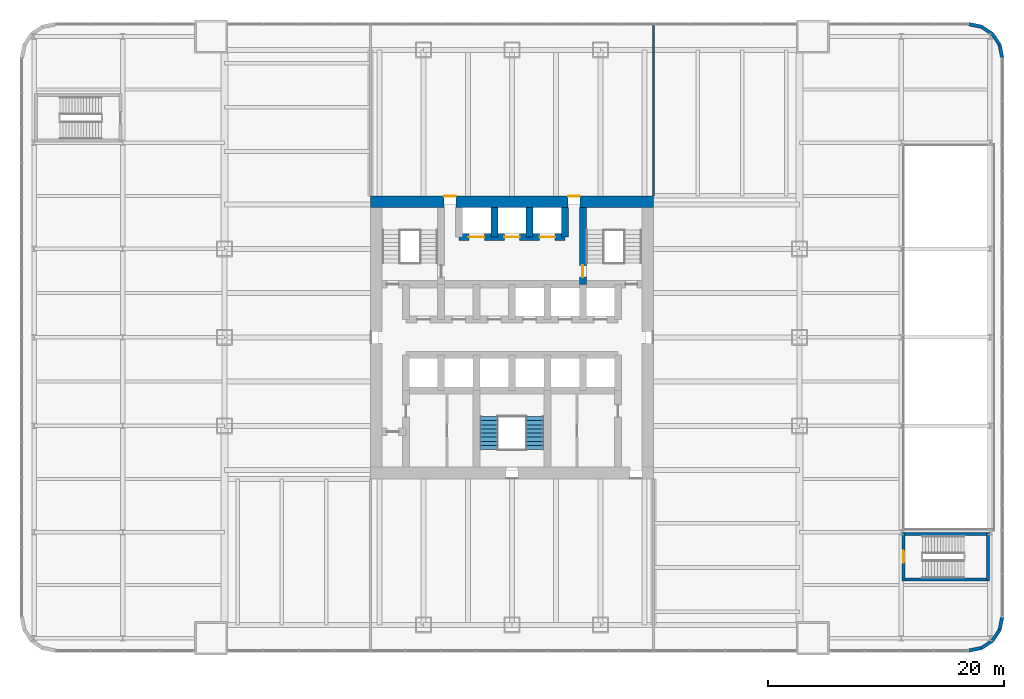
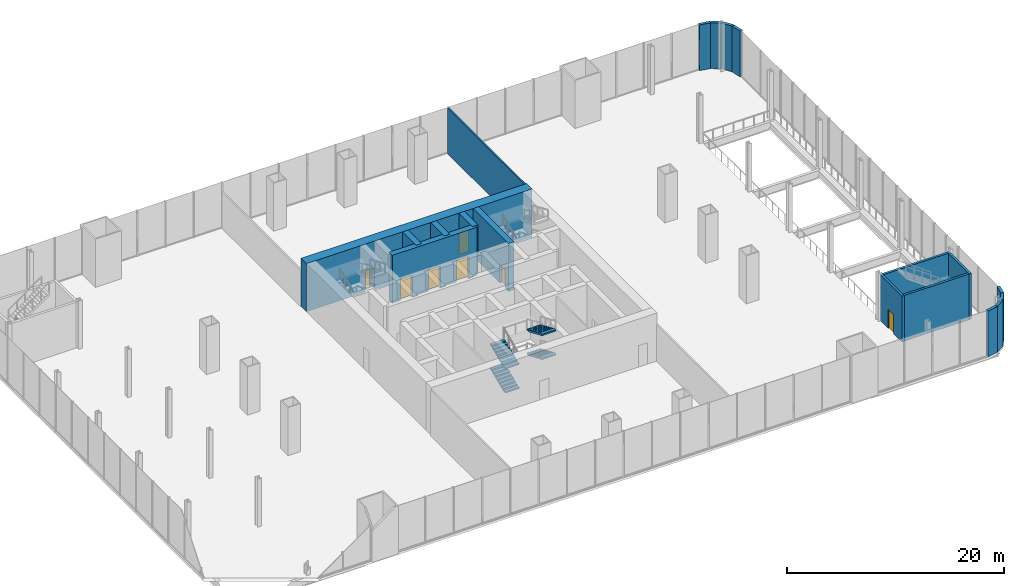
# One storey, part 13 of 16: 19 walls, 7 doors, 4 stair flights, 7 openings, 1 element without a shape of its own.
"""IFC4 building model written with IfcOpenShell, lengths in metres."""

from ifc_helpers import new_model, si_unit, direction, frame, frame_2d, origin, place, context, subcontext, project, spatial, polyline, rectangle, outline, extrude, material, layer, layer_set, type_object, element, fill, aggregate, save


model = new_model("IFC4")

# Units and contexts
model_context = context("Model", 3, precision=1e-05, world=origin(), true_north=direction((0.0, 1.0)))
body_context = subcontext(model_context, "Body", "Model", "MODEL_VIEW")
ifc_project = project(units=[si_unit("LENGTHUNIT", "METRE"), si_unit("AREAUNIT", "SQUARE_METRE"), si_unit("VOLUMEUNIT", "CUBIC_METRE"), si_unit("PLANEANGLEUNIT", "RADIAN"), si_unit("MASSUNIT", "GRAM", prefix="KILO")], contexts=[model_context])

# Site, building, storey
site_placement = place(None, origin())
site = spatial("IfcSite", under=ifc_project, at=site_placement, CompositionType="ELEMENT")
building_placement = place(site_placement, origin())
building = spatial("IfcBuilding", under=site, at=building_placement, Name="Tarangal Relay Tower", CompositionType="ELEMENT")
storey_placement = place(building_placement, frame((0.0, 0.0, 12.60009765625)))
storey = spatial("IfcBuildingStorey", under=building, at=storey_placement, Name="L02", CompositionType="ELEMENT", Elevation=12.60009765625)

# Wall, openings, doors
ifc_material_1 = material(Name="Concrete fc' 60 MPa", Category="concrete")
ifc_layer_1 = layer(ifc_material_1, 0.60009765625)
ifc_layer_set_1 = layer_set([ifc_layer_1], Name="Core inner wall 600")
wall_type_1 = type_object("IfcWallType", Name="Core inner wall 600", PredefinedType="SHEAR", material=ifc_layer_set_1)
wall_1_placement = place(storey_placement, frame((-4.5, 8.5, 0.0), z_axis=(0.0, 0.0, 1.0), x_axis=(1.0, 0.0, 0.0)))
wall_1 = element("IfcWall", 1, at=wall_1_placement, inside=storey, type_object=wall_type_1, Name="Core wall Y85 L02", PredefinedType="SHEAR", context=body_context, shape_type="SweptSolid", body=[
    extrude(rectangle(XDim=9.0, YDim=0.60009765625, at=frame_2d((4.5, 0.0))), origin(), (0.0, 0.0, 1.0), 5.39990234375),
])
opening_1_placement = place(wall_1_placement, frame((0.85009765625, 0.0, 0.0)))
opening_1 = element("IfcOpeningElement", 2, at=opening_1_placement, cuts=wall_1, Name="Opening LD2", PredefinedType="OPENING", context=body_context, shape_type="SweptSolid", body=[
    extrude(rectangle(XDim=1.300048828125, YDim=2.39990234375, at=frame_2d((0.64990234375, 1.199951171875))), frame((0.0, 0.31005859375, 0.0), z_axis=(0.0, -1.0, 0.0), x_axis=(1.0, 0.0, 0.0)), (0.0, 0.0, 1.0), 0.6201171875),
])
opening_2_placement = place(wall_1_placement, frame((6.85009765625, 0.0, 0.0)))
opening_2 = element("IfcOpeningElement", 3, at=opening_2_placement, cuts=wall_1, Name="Opening LD2", PredefinedType="OPENING", context=body_context, shape_type="SweptSolid", body=[
    extrude(rectangle(XDim=1.300048828125, YDim=2.39990234375, at=frame_2d((0.64990234375, 1.199951171875))), frame((0.0, 0.31005859375, 0.0), z_axis=(0.0, -1.0, 0.0), x_axis=(1.0, 0.0, 0.0)), (0.0, 0.0, 1.0), 0.6201171875),
])
opening_3_placement = place(wall_1_placement, frame((3.85009765625, 0.0, 0.0)))
opening_3 = element("IfcOpeningElement", 4, at=opening_3_placement, cuts=wall_1, Name="Opening LD2", PredefinedType="OPENING", context=body_context, shape_type="SweptSolid", body=[
    extrude(rectangle(XDim=1.300048828125, YDim=2.39990234375, at=frame_2d((0.64990234375, 1.199951171875))), frame((0.0, 0.31005859375, 0.0), z_axis=(0.0, -1.0, 0.0), x_axis=(1.0, 0.0, 0.0)), (0.0, 0.0, 1.0), 0.6201171875),
])
ifc_material_2 = material(Name="Steel door with hardwood frame", Category="steel")
door_type_1 = type_object("IfcDoorType", Name="Lift landing door 1300 x 2400", OperationType="SLIDING_TO_LEFT", PredefinedType="DOOR", material=ifc_material_2)
door_1_placement = place(opening_1_placement, origin())
door_1 = element("IfcDoor", 5, at=door_1_placement, inside=storey, type_object=door_type_1, Name="Lift FF1 landing door L02", OperationType="SLIDING_TO_LEFT", OverallHeight=2.39990234375, OverallWidth=1.300048828125, PredefinedType="DOOR", context=body_context, shape_type="SweptSolid", body=[
    extrude(rectangle(XDim=1.300048828125, YDim=2.39990234375, at=frame_2d((0.64990234375, 1.199951171875))), frame((0.0, 0.02490234375, 0.0), z_axis=(0.0, -1.0, 0.0), x_axis=(1.0, 0.0, 0.0)), (0.0, 0.0, 1.0), 0.050048828125),
])
fill(opening_1, door_1)
door_2_placement = place(opening_2_placement, origin())
door_2 = element("IfcDoor", 6, at=door_2_placement, inside=storey, type_object=door_type_1, Name="Lift FF2 landing door L02", OperationType="SLIDING_TO_LEFT", OverallHeight=2.39990234375, OverallWidth=1.300048828125, PredefinedType="DOOR", context=body_context, shape_type="SweptSolid", body=[
    extrude(rectangle(XDim=1.300048828125, YDim=2.39990234375, at=frame_2d((0.64990234375, 1.199951171875))), frame((0.0, 0.02490234375, 0.0), z_axis=(0.0, -1.0, 0.0), x_axis=(1.0, 0.0, 0.0)), (0.0, 0.0, 1.0), 0.050048828125),
])
fill(opening_2, door_2)
door_3_placement = place(opening_3_placement, origin())
door_3 = element("IfcDoor", 7, at=door_3_placement, inside=storey, type_object=door_type_1, Name="Lift SV1 landing door L02", OperationType="SLIDING_TO_LEFT", OverallHeight=2.39990234375, OverallWidth=1.300048828125, PredefinedType="DOOR", context=body_context, shape_type="SweptSolid", body=[
    extrude(rectangle(XDim=1.300048828125, YDim=2.39990234375, at=frame_2d((0.64990234375, 1.199951171875))), frame((0.0, 0.02490234375, 0.0), z_axis=(0.0, -1.0, 0.0), x_axis=(1.0, 0.0, 0.0)), (0.0, 0.0, 1.0), 0.050048828125),
])
fill(opening_3, door_3)

# Wall, opening, door
wall_2_placement = place(storey_placement, frame((6.0, 4.5, 0.0), z_axis=(0.0, 0.0, 1.0), x_axis=(0.0, 1.0, 0.0)))
wall_2 = element("IfcWall", 8, at=wall_2_placement, inside=storey, type_object=wall_type_1, Name="Core wall X6 L02", PredefinedType="SHEAR", context=body_context, shape_type="SweptSolid", body=[
    extrude(rectangle(XDim=6.5, YDim=0.60009765625, at=frame_2d((3.25, 0.0))), origin(), (0.0, 0.0, 1.0), 5.39990234375),
])
opening_4_placement = place(wall_2_placement, frame((0.60009765625, 0.0, 0.0)))
opening_4 = element("IfcOpeningElement", 9, at=opening_4_placement, cuts=wall_2, Name="Opening FD1", PredefinedType="OPENING", context=body_context, shape_type="SweptSolid", body=[
    extrude(rectangle(XDim=1.0, YDim=2.10009765625, at=frame_2d((0.5, 1.050048828125))), frame((0.0, 0.31005859375, 0.0), z_axis=(0.0, -1.0, 0.0), x_axis=(1.0, 0.0, 0.0)), (0.0, 0.0, 1.0), 0.6201171875),
])
door_type_2 = type_object("IfcDoorType", Name="Fire door 1000 x 2100", OperationType="SINGLE_SWING_LEFT", PredefinedType="DOOR", material=ifc_material_2)
door_4_placement = place(opening_4_placement, origin())
door_4 = element("IfcDoor", 10, at=door_4_placement, inside=storey, type_object=door_type_2, Name="Stair ST-B door from fire-fighting lobby L02", OperationType="SINGLE_SWING_LEFT", OverallHeight=2.10009765625, OverallWidth=1.0, PredefinedType="DOOR", context=body_context, shape_type="SweptSolid", body=[
    extrude(rectangle(XDim=1.0, YDim=2.10009765625, at=frame_2d((0.5, 1.050048828125))), frame((0.0, 0.02490234375, 0.0), z_axis=(0.0, -1.0, 0.0), x_axis=(1.0, 0.0, 0.0)), (0.0, 0.0, 1.0), 0.050048828125),
])
fill(opening_4, door_4)

# Walls
for number, where, z_axis, x_axis, name in (
    (11, (4.5, 8.5, 0.0), (0.0, 0.0, 1.0), (0.0, 1.0, 0.0), "Core wall X45 L02"),
    (12, (-1.5, 8.5, 0.0), (0.0, 0.0, 1.0), (0.0, 1.0, 0.0), "Core wall XM15 L02"),
    (13, (1.5, 8.5, 0.0), (0.0, 0.0, 1.0), (0.0, 1.0, 0.0), "Core wall X15 L02"),
):
    element("IfcWall", number, at=place(storey_placement, frame(where, z_axis=z_axis, x_axis=x_axis)), inside=storey, type_object=wall_type_1, Name=name, PredefinedType="SHEAR", context=body_context, shape_type="SweptSolid", body=[
        extrude(rectangle(XDim=2.5, YDim=0.60009765625, at=frame_2d((1.25, 0.0))), origin(), (0.0, 0.0, 1.0), 5.39990234375),
    ])

# Wall, openings, doors
ifc_layer_2 = layer(ifc_material_1, 1.0)
ifc_layer_set_2 = layer_set([ifc_layer_2], Name="Core wall 1000")
wall_type_2 = type_object("IfcWallType", Name="Core wall 1000", PredefinedType="SHEAR", material=ifc_layer_set_2)
wall_3_placement = place(storey_placement, frame((-12.0, 11.5, 0.0), z_axis=(0.0, 0.0, 1.0), x_axis=(1.0, 0.0, 0.0)))
wall_3 = element("IfcWall", 14, at=wall_3_placement, inside=storey, type_object=wall_type_2, Name="Core wall N L02", PredefinedType="SHEAR", context=body_context, shape_type="SweptSolid", body=[
    extrude(rectangle(XDim=24.0, YDim=1.0, at=frame_2d((12.0, 0.0))), origin(), (0.0, 0.0, 1.0), 5.39990234375),
])
opening_5_placement = place(wall_3_placement, frame((6.25, 0.0, 0.0)))
opening_5 = element("IfcOpeningElement", 15, at=opening_5_placement, cuts=wall_3, Name="Opening FD3", PredefinedType="OPENING", context=body_context, shape_type="SweptSolid", body=[
    extrude(rectangle(XDim=1.0, YDim=2.39990234375, at=frame_2d((0.5, 1.199951171875))), frame((0.0, 0.510009765625, 0.0), z_axis=(0.0, -1.0, 0.0), x_axis=(1.0, 0.0, 0.0)), (0.0, 0.0, 1.0), 1.02001953125),
])
opening_6_placement = place(wall_3_placement, frame((16.75, 0.0, 0.0)))
opening_6 = element("IfcOpeningElement", 16, at=opening_6_placement, cuts=wall_3, Name="Opening FD3", PredefinedType="OPENING", context=body_context, shape_type="SweptSolid", body=[
    extrude(rectangle(XDim=1.0, YDim=2.39990234375, at=frame_2d((0.5, 1.199951171875))), frame((0.0, 0.510009765625, 0.0), z_axis=(0.0, -1.0, 0.0), x_axis=(1.0, 0.0, 0.0)), (0.0, 0.0, 1.0), 1.02001953125),
])
door_type_3 = type_object("IfcDoorType", Name="Fire door 1000 x 2400 core entry", OperationType="SINGLE_SWING_RIGHT", PredefinedType="DOOR", material=ifc_material_2)
door_5_placement = place(opening_5_placement, origin())
door_5 = element("IfcDoor", 17, at=door_5_placement, inside=storey, type_object=door_type_3, Name="Core entry door north west L02", OperationType="SINGLE_SWING_RIGHT", OverallHeight=2.39990234375, OverallWidth=1.0, PredefinedType="DOOR", context=body_context, shape_type="SweptSolid", body=[
    extrude(rectangle(XDim=1.0, YDim=2.39990234375, at=frame_2d((0.5, 1.199951171875))), frame((0.0, 0.48486328125, 0.0), z_axis=(0.0, -1.0, 0.0), x_axis=(1.0, 0.0, 0.0)), (0.0, 0.0, 1.0), 0.050048828125),
])
fill(opening_5, door_5)
door_6_placement = place(opening_6_placement, origin())
door_6 = element("IfcDoor", 18, at=door_6_placement, inside=storey, type_object=door_type_3, Name="Core entry door north east L02", OperationType="SINGLE_SWING_RIGHT", OverallHeight=2.39990234375, OverallWidth=1.0, PredefinedType="DOOR", context=body_context, shape_type="SweptSolid", body=[
    extrude(rectangle(XDim=1.0, YDim=2.39990234375, at=frame_2d((0.5, 1.199951171875))), frame((0.0, 0.48486328125, 0.0), z_axis=(0.0, -1.0, 0.0), x_axis=(1.0, 0.0, 0.0)), (0.0, 0.0, 1.0), 0.050048828125),
])
fill(opening_6, door_6)

# Walls
ifc_material_3 = material(Name="Gypsum board on steel studs", Category="steel")
ifc_layer_3 = layer(ifc_material_3, 0.14990234375)
ifc_layer_set_3 = layer_set([ifc_layer_3], Name="Partition 150")
wall_type_3 = type_object("IfcWallType", Name="Partition 150", PredefinedType="PARTITIONING", material=ifc_layer_set_3)
wall_4_placement = place(storey_placement, frame((12.0, 12.0, 0.0), z_axis=(0.0, 0.0, 1.0), x_axis=(0.0, 1.0, 0.0)))
element("IfcWall", 19, at=wall_4_placement, inside=storey, type_object=wall_type_3, Name="Partition PT1 L02", PredefinedType="PARTITIONING", context=body_context, shape_type="SweptSolid", body=[
    extrude(rectangle(XDim=14.449951171875, YDim=0.14990234375, at=frame_2d((7.22509765625, 0.0))), origin(), (0.0, 0.0, 1.0), 5.14990234375),
])
ifc_material_4 = material(Name="Black granite clad concrete wall", Category="masonry")
ifc_layer_4 = layer(ifc_material_4, 0.300048828125)
ifc_layer_set_4 = layer_set([ifc_layer_4], Name="Podium wall 300")
wall_type_4 = type_object("IfcWallType", Name="Podium wall 300", PredefinedType="SOLIDWALL", material=ifc_layer_set_4)
for number, where, z_axis, x_axis, name in (
    (20, (41.550048828125, 23.699951171875, 0.0), (0.0, 0.0, 1.0), (-0.195187147506, 0.980766015647, 0.0), "Podium corner wall L02"),
    (21, (41.3330078125, 24.79052734375, 0.0), (0.0, 0.0, 1.0), (-0.555409243355, 0.831577159616, 0.0), "Podium corner wall L02"),
    (22, (40.71533203125, 25.71533203125, 0.0), (0.0, 0.0, 1.0), (-0.831577159616, 0.555409243355, 0.0), "Podium corner wall L02"),
    (23, (39.79052734375, 26.3330078125, 0.0), (0.0, 0.0, 1.0), (-0.980766015647, 0.195187147506, 0.0), "Podium corner wall L02"),
    (24, (38.699951171875, -26.550048828125, 0.0), (0.0, 0.0, 1.0), (0.980766015647, 0.195187147506, 0.0), "Podium corner wall L02"),
    (25, (39.79052734375, -26.3330078125, 0.0), (0.0, 0.0, 1.0), (0.831577159616, 0.555409243355, 0.0), "Podium corner wall L02"),
    (26, (40.71533203125, -25.71533203125, 0.0), (0.0, 0.0, 1.0), (0.555409243355, 0.831577159616, 0.0), "Podium corner wall L02"),
    (27, (41.3330078125, -24.79052734375, 0.0), (0.0, 0.0, 1.0), (0.195187147506, 0.980766015647, 0.0), "Podium corner wall L02"),
):
    element("IfcWall", number, at=place(storey_placement, frame(where, z_axis=z_axis, x_axis=x_axis)), inside=storey, type_object=wall_type_4, Name=name, PredefinedType="SOLIDWALL", context=body_context, shape_type="SweptSolid", body=[
        extrude(rectangle(XDim=1.112060546875, YDim=0.300048828125, at=frame_2d((0.55615234375, 0.0))), origin(), (0.0, 0.0, 1.0), 5.14990234375),
    ])

# Wall, opening, door
ifc_material_5 = material(Name="Concrete blockwork", Category="masonry")
ifc_layer_5 = layer(ifc_material_5, 0.25)
ifc_layer_set_5 = layer_set([ifc_layer_5], Name="Stair enclosure wall 250")
wall_type_5 = type_object("IfcWallType", Name="Stair enclosure wall 250", PredefinedType="SOLIDWALL", material=ifc_layer_set_5)
wall_5_placement = place(storey_placement, frame((33.175048828125, -20.64990234375, 0.0), z_axis=(0.0, 0.0, 1.0), x_axis=(0.0, 1.0, 0.0)))
wall_5 = element("IfcWall", 28, at=wall_5_placement, inside=storey, type_object=wall_type_5, Name="Stair ST-E enclosure wall L02", PredefinedType="SOLIDWALL", context=body_context, shape_type="SweptSolid", body=[
    extrude(rectangle(XDim=4.099853515625, YDim=0.25, at=frame_2d((2.0498046875, 0.0))), origin(), (0.0, 0.0, 1.0), 5.14990234375),
])
opening_7_placement = place(wall_5_placement, frame((1.550048828125, 0.0, 0.0)))
opening_7 = element("IfcOpeningElement", 29, at=opening_7_placement, cuts=wall_5, Name="Opening FD1", PredefinedType="OPENING", context=body_context, shape_type="SweptSolid", body=[
    extrude(rectangle(XDim=1.0, YDim=2.10009765625, at=frame_2d((0.5, 1.050048828125))), frame((0.0, 0.135009765625, 0.0), z_axis=(0.0, -1.0, 0.0), x_axis=(1.0, 0.0, 0.0)), (0.0, 0.0, 1.0), 0.27001953125),
])
door_7_placement = place(opening_7_placement, origin())
door_7 = element("IfcDoor", 30, at=door_7_placement, inside=storey, type_object=door_type_2, Name="Stair ST-E door L02", OperationType="SINGLE_SWING_LEFT", OverallHeight=2.10009765625, OverallWidth=1.0, PredefinedType="DOOR", context=body_context, shape_type="SweptSolid", body=[
    extrude(rectangle(XDim=1.0, YDim=2.10009765625, at=frame_2d((0.5, 1.050048828125))), frame((0.0, 0.02490234375, 0.0), z_axis=(0.0, -1.0, 0.0), x_axis=(1.0, 0.0, 0.0)), (0.0, 0.0, 1.0), 0.050048828125),
])
fill(opening_7, door_7)

# Walls
wall_6_placement = place(storey_placement, frame((40.324951171875, -20.64990234375, 0.0), z_axis=(0.0, 0.0, 1.0), x_axis=(0.0, 1.0, 0.0)))
element("IfcWall", 31, at=wall_6_placement, inside=storey, type_object=wall_type_5, Name="Stair ST-E enclosure wall L02", PredefinedType="SOLIDWALL", context=body_context, shape_type="SweptSolid", body=[
    extrude(rectangle(XDim=4.099853515625, YDim=0.25, at=frame_2d((2.0498046875, 0.0))), origin(), (0.0, 0.0, 1.0), 5.14990234375),
])
for number, where, z_axis, x_axis, name in (
    (32, (33.300048828125, -20.52490234375, 0.0), (0.0, 0.0, 1.0), (1.0, 0.0, 0.0), "Stair ST-E enclosure wall L02"),
    (33, (33.300048828125, -16.675048828125, 0.0), (0.0, 0.0, 1.0), (1.0, 0.0, 0.0), "Stair ST-E enclosure wall L02"),
):
    element("IfcWall", number, at=place(storey_placement, frame(where, z_axis=z_axis, x_axis=x_axis)), inside=storey, type_object=wall_type_5, Name=name, PredefinedType="SOLIDWALL", context=body_context, shape_type="SweptSolid", body=[
        extrude(rectangle(XDim=6.89990234375, YDim=0.25, at=frame_2d((3.449951171875, 0.0))), origin(), (0.0, 0.0, 1.0), 5.14990234375),
    ])

# Stair, stair flights
ifc_material_6 = material(Name="Steel ASTM A992 stair flight", Category="steel")
stair_type = type_object("IfcStairType", Name="Core stair 1500", PredefinedType="HALF_TURN_STAIR", material=ifc_material_6)
stair_placement = place(storey_placement, origin())
stair = element("IfcStair", 34, at=stair_placement, inside=storey, type_object=stair_type, Name="Stair ST-C L02", PredefinedType="HALF_TURN_STAIR")
stair_flight_type = type_object("IfcStairFlightType", Name="Steel stair flight 1500, 9 risers 150 x 348", PredefinedType="STRAIGHT", material=ifc_material_6)
stair_flight_1_placement = place(storey_placement, frame((-1.949951171875, -9.5, 0.0), z_axis=(0.0, 0.0, 1.0), x_axis=(0.0, 1.0, 0.0)))
stair_flight_1 = element("IfcStairFlight", 35, at=stair_flight_1_placement, type_object=stair_flight_type, Name="ST-C flight 1", NumberOfRisers=9, NumberOfTreads=8, PredefinedType="STRAIGHT", RiserHeight=0.15, TreadLength=0.348, context=body_context, shape_type="SweptSolid", body=[
    extrude(outline(polyline([(0.0, 0.0), (0.0, 0.14990234375), (0.347900390625, 0.14990234375), (0.347900390625, 0.300048828125), (0.696044921875, 0.300048828125), (0.696044921875, 0.449951171875), (1.0439453125, 0.449951171875), (1.0439453125, 0.60009765625), (1.39208984375, 0.60009765625), (1.39208984375, 0.75), (1.739990234375, 0.75), (1.739990234375, 0.89990234375), (2.087890625, 0.89990234375), (2.087890625, 1.050048828125), (2.43603515625, 1.050048828125), (2.43603515625, 1.199951171875), (2.783935546875, 1.199951171875), (2.783935546875, 1.35009765625), (2.783935546875, 1.036865234375), (0.378662109375, 0.0), (0.0, 0.0)])), frame((0.0, 0.75, 0.0), z_axis=(0.0, -1.0, 0.0), x_axis=(1.0, 0.0, 0.0)), (0.0, 0.0, 1.0), 1.5),
])
stair_flight_2_placement = place(storey_placement, frame((1.949951171875, -6.716064453125, 1.349853515625), z_axis=(0.0, 0.0, 1.0), x_axis=(0.0, -1.0, 0.0)))
stair_flight_2 = element("IfcStairFlight", 36, at=stair_flight_2_placement, type_object=stair_flight_type, Name="ST-C flight 2", NumberOfRisers=9, NumberOfTreads=8, PredefinedType="STRAIGHT", RiserHeight=0.15, TreadLength=0.348, context=body_context, shape_type="SweptSolid", body=[
    extrude(outline(polyline([(0.0, 0.0), (0.0, 0.14990234375), (0.347900390625, 0.14990234375), (0.347900390625, 0.300048828125), (0.696044921875, 0.300048828125), (0.696044921875, 0.449951171875), (1.0439453125, 0.449951171875), (1.0439453125, 0.60009765625), (1.39208984375, 0.60009765625), (1.39208984375, 0.75), (1.739990234375, 0.75), (1.739990234375, 0.89990234375), (2.087890625, 0.89990234375), (2.087890625, 1.050048828125), (2.43603515625, 1.050048828125), (2.43603515625, 1.199951171875), (2.783935546875, 1.199951171875), (2.783935546875, 1.35009765625), (2.783935546875, 1.036865234375), (0.378662109375, 0.0), (0.0, 0.0)])), frame((0.0, 0.75, 0.0), z_axis=(0.0, -1.0, 0.0), x_axis=(1.0, 0.0, 0.0)), (0.0, 0.0, 1.0), 1.5),
])
stair_flight_3_placement = place(storey_placement, frame((-1.949951171875, -9.5, 2.699951171875), z_axis=(0.0, 0.0, 1.0), x_axis=(0.0, 1.0, 0.0)))
stair_flight_3 = element("IfcStairFlight", 37, at=stair_flight_3_placement, type_object=stair_flight_type, Name="ST-C flight 3", NumberOfRisers=9, NumberOfTreads=8, PredefinedType="STRAIGHT", RiserHeight=0.15, TreadLength=0.348, context=body_context, shape_type="SweptSolid", body=[
    extrude(outline(polyline([(0.0, 0.0), (0.0, 0.14990234375), (0.347900390625, 0.14990234375), (0.347900390625, 0.300048828125), (0.696044921875, 0.300048828125), (0.696044921875, 0.449951171875), (1.0439453125, 0.449951171875), (1.0439453125, 0.60009765625), (1.39208984375, 0.60009765625), (1.39208984375, 0.75), (1.739990234375, 0.75), (1.739990234375, 0.89990234375), (2.087890625, 0.89990234375), (2.087890625, 1.050048828125), (2.43603515625, 1.050048828125), (2.43603515625, 1.199951171875), (2.783935546875, 1.199951171875), (2.783935546875, 1.35009765625), (2.783935546875, 1.036865234375), (0.378662109375, 0.0), (0.0, 0.0)])), frame((0.0, 0.75, 0.0), z_axis=(0.0, -1.0, 0.0), x_axis=(1.0, 0.0, 0.0)), (0.0, 0.0, 1.0), 1.5),
])
stair_flight_4_placement = place(storey_placement, frame((1.949951171875, -6.716064453125, 4.0498046875), z_axis=(0.0, 0.0, 1.0), x_axis=(0.0, -1.0, 0.0)))
stair_flight_4 = element("IfcStairFlight", 38, at=stair_flight_4_placement, type_object=stair_flight_type, Name="ST-C flight 4", NumberOfRisers=9, NumberOfTreads=8, PredefinedType="STRAIGHT", RiserHeight=0.15, TreadLength=0.348, context=body_context, shape_type="SweptSolid", body=[
    extrude(outline(polyline([(0.0, 0.0), (0.0, 0.14990234375), (0.347900390625, 0.14990234375), (0.347900390625, 0.300048828125), (0.696044921875, 0.300048828125), (0.696044921875, 0.449951171875), (1.0439453125, 0.449951171875), (1.0439453125, 0.60009765625), (1.39208984375, 0.60009765625), (1.39208984375, 0.75), (1.739990234375, 0.75), (1.739990234375, 0.89990234375), (2.087890625, 0.89990234375), (2.087890625, 1.050048828125), (2.43603515625, 1.050048828125), (2.43603515625, 1.199951171875), (2.783935546875, 1.199951171875), (2.783935546875, 1.35009765625), (2.783935546875, 1.036865234375), (0.378662109375, 0.0), (0.0, 0.0)])), frame((0.0, 0.75, 0.0), z_axis=(0.0, -1.0, 0.0), x_axis=(1.0, 0.0, 0.0)), (0.0, 0.0, 1.0), 1.5),
])
aggregate(stair, [stair_flight_1, stair_flight_2, stair_flight_3, stair_flight_4])

save(model, "model.ifc")
